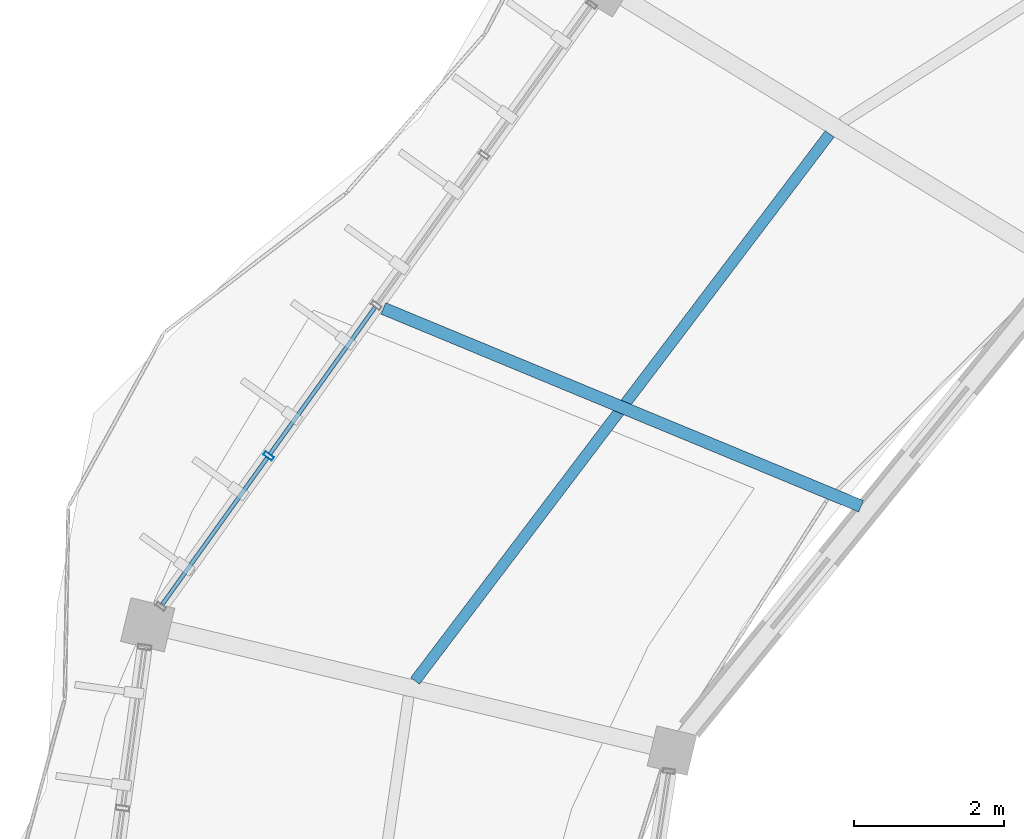
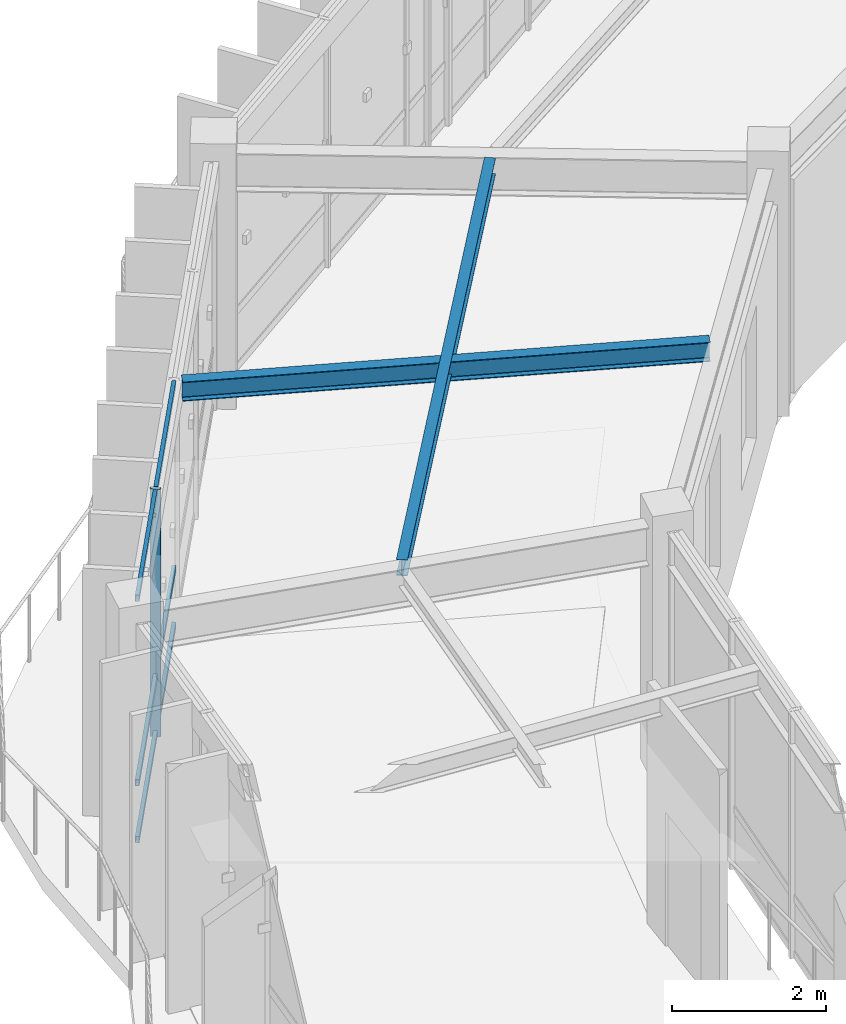
# One storey, part 19 of 83: 7 members, 2 beams, 1 element without a shape of its own.
"""IFC4 building model written with IfcOpenShell, lengths in metres."""

from ifc_helpers import new_model, si_unit, direction, frame, origin, origin_2d, place, context, subcontext, project, spatial, hollow_rectangle, i_section, extrude, material, material_profile, profile_set, type_object, element, aggregate, save


model = new_model("IFC4")

# Units and contexts
model_context = context("Model", 3, precision=1e-05, world=origin(), true_north=direction((0.0, 1.0)))
body_context = subcontext(model_context, "Body", "Model", "MODEL_VIEW")
ifc_project = project(units=[si_unit("LENGTHUNIT", "METRE"), si_unit("AREAUNIT", "SQUARE_METRE"), si_unit("VOLUMEUNIT", "CUBIC_METRE"), si_unit("PLANEANGLEUNIT", "RADIAN"), si_unit("MASSUNIT", "GRAM", prefix="KILO"), si_unit("THERMODYNAMICTEMPERATUREUNIT", "KELVIN"), si_unit("POWERUNIT", "WATT")], contexts=[model_context])

# Site, building, storey
site_placement = place(None, origin())
site = spatial("IfcSite", under=ifc_project, at=site_placement, CompositionType="ELEMENT")
building_placement = place(site_placement, origin())
building = spatial("IfcBuilding", under=site, at=building_placement, Name="Darbajah Civic Hall", CompositionType="ELEMENT")
storey_placement = place(building_placement, frame((0.0, 0.0, 18.0)))
storey = spatial("IfcBuildingStorey", under=building, at=storey_placement, Name="L04", CompositionType="ELEMENT", Elevation=18.0)

# Curtain wall, members
ifc_material_1 = material(Name="Anodised Bronze Aluminium and Low-E Glazing", Category="aluminium")
curtain_wall_type = type_object("IfcCurtainWallType", Name="Unitised Curtain Wall CW-68 9900x3900", PredefinedType="USERDEFINED", material=ifc_material_1)
curtain_wall_placement = place(storey_placement, origin())
curtain_wall = element("IfcCurtainWall", 1, at=curtain_wall_placement, inside=storey, type_object=curtain_wall_type, Name="L04 unitised curtain wall CW-V1O-L04-08", ObjectType="UNITISED CURTAIN WALL", PredefinedType="USERDEFINED")
ifc_material_2 = material(Name="Anodised Bronze Aluminium", Category="aluminium")
ifc_material_profile_1 = material_profile(ifc_material_2, hollow_rectangle(XDim=0.054931640625, YDim=0.139892578125, WallThickness=0.003173828125, at=origin_2d()), Name="ALU MULLION 55x140")
ifc_profile_set_1 = profile_set([ifc_material_profile_1], Name="Anodised Bronze Aluminium")
member_type_1 = type_object("IfcMemberType", Name="ALU MULLION 55x140", PredefinedType="MULLION", material=ifc_profile_set_1)
member_1_placement = place(storey_placement, frame((41.12353515625, 98.941162109375, 0.0), z_axis=(0.0, 0.0, 1.0), x_axis=(-0.582264874145, -0.812999149039, 0.0)))
member_1 = element("IfcMember", 2, at=member_1_placement, type_object=member_type_1, Name="CW-V1O-L04-08 mullion 4", PredefinedType="MULLION", context=body_context, shape_type="SweptSolid", body=[
    extrude(hollow_rectangle(XDim=0.054931640625, YDim=0.139892578125, WallThickness=0.003173828125, at=origin_2d()), origin(), (0.0, 0.0, 1.0), 3.919921875),
])
ifc_material_profile_2 = material_profile(ifc_material_2, hollow_rectangle(XDim=0.054931640625, YDim=0.10009765625, WallThickness=0.0029296875, at=origin_2d()), Name="ALU TRANSOM 55x100")
ifc_profile_set_2 = profile_set([ifc_material_profile_2], Name="Anodised Bronze Aluminium")
member_type_2 = type_object("IfcMemberType", Name="ALU TRANSOM 55x100", PredefinedType="USERDEFINED", material=ifc_profile_set_2)
member_2_placement = place(storey_placement, frame((42.543212890625, 100.923583984375, 0.050048828125), z_axis=(-0.582188139541, -0.813054100401, 0.0), x_axis=(0.813054100401, -0.582188139541, 0.0)))
member_2 = element("IfcMember", 3, at=member_2_placement, type_object=member_type_2, Name="CW-V1O-L04-08 transom 3.1", ObjectType="TRANSOM", PredefinedType="USERDEFINED", context=body_context, shape_type="SweptSolid", body=[
    extrude(hollow_rectangle(XDim=0.054931640625, YDim=0.10009765625, WallThickness=0.0029296875, at=origin_2d()), origin(), (0.0, 0.0, 1.0), 2.40576171875),
])
member_3_placement = place(storey_placement, frame((42.543212890625, 100.923583984375, 0.949951171875), z_axis=(-0.582188139541, -0.813054100401, 0.0), x_axis=(0.813054100401, -0.582188139541, 0.0)))
member_3 = element("IfcMember", 4, at=member_3_placement, type_object=member_type_2, Name="CW-V1O-L04-08 transom 3.2", ObjectType="TRANSOM", PredefinedType="USERDEFINED", context=body_context, shape_type="SweptSolid", body=[
    extrude(hollow_rectangle(XDim=0.054931640625, YDim=0.10009765625, WallThickness=0.0029296875, at=origin_2d()), origin(), (0.0, 0.0, 1.0), 2.40576171875),
])
member_4_placement = place(storey_placement, frame((42.543212890625, 100.923583984375, 3.8701171875), z_axis=(-0.582188139541, -0.813054100401, 0.0), x_axis=(0.813054100401, -0.582188139541, 0.0)))
member_4 = element("IfcMember", 5, at=member_4_placement, type_object=member_type_2, Name="CW-V1O-L04-08 transom 3.3", ObjectType="TRANSOM", PredefinedType="USERDEFINED", context=body_context, shape_type="SweptSolid", body=[
    extrude(hollow_rectangle(XDim=0.054931640625, YDim=0.10009765625, WallThickness=0.0029296875, at=origin_2d()), origin(), (0.0, 0.0, 1.0), 2.40576171875),
])
member_5_placement = place(storey_placement, frame((41.104736328125, 98.914794921875, 0.050048828125), z_axis=(-0.582207185056, -0.813040462505, 0.0), x_axis=(0.813040462505, -0.582207185056, 0.0)))
member_5 = element("IfcMember", 6, at=member_5_placement, type_object=member_type_2, Name="CW-V1O-L04-08 transom 4.1", ObjectType="TRANSOM", PredefinedType="USERDEFINED", context=body_context, shape_type="SweptSolid", body=[
    extrude(hollow_rectangle(XDim=0.054931640625, YDim=0.10009765625, WallThickness=0.0029296875, at=origin_2d()), origin(), (0.0, 0.0, 1.0), 2.40625),
])
member_6_placement = place(storey_placement, frame((41.104736328125, 98.914794921875, 0.949951171875), z_axis=(-0.582207185056, -0.813040462505, 0.0), x_axis=(0.813040462505, -0.582207185056, 0.0)))
member_6 = element("IfcMember", 7, at=member_6_placement, type_object=member_type_2, Name="CW-V1O-L04-08 transom 4.2", ObjectType="TRANSOM", PredefinedType="USERDEFINED", context=body_context, shape_type="SweptSolid", body=[
    extrude(hollow_rectangle(XDim=0.054931640625, YDim=0.10009765625, WallThickness=0.0029296875, at=origin_2d()), origin(), (0.0, 0.0, 1.0), 2.40625),
])
member_7_placement = place(storey_placement, frame((41.104736328125, 98.914794921875, 3.8701171875), z_axis=(-0.582207185056, -0.813040462505, 0.0), x_axis=(0.813040462505, -0.582207185056, 0.0)))
member_7 = element("IfcMember", 8, at=member_7_placement, type_object=member_type_2, Name="CW-V1O-L04-08 transom 4.3", ObjectType="TRANSOM", PredefinedType="USERDEFINED", context=body_context, shape_type="SweptSolid", body=[
    extrude(hollow_rectangle(XDim=0.054931640625, YDim=0.10009765625, WallThickness=0.0029296875, at=origin_2d()), origin(), (0.0, 0.0, 1.0), 2.40625),
])
aggregate(curtain_wall, [member_1, member_2, member_3, member_4, member_5, member_6, member_7])

# Beams
ifc_material_3 = material(Name="Steel S355JR", Category="steel")
ifc_material_profile_3 = material_profile(ifc_material_3, i_section(OverallWidth=0.146484375, OverallDepth=0.256103515625, WebThickness=0.00634765625, FlangeThickness=0.010986328125, FilletRadius=0.007568359375, at=origin_2d()), Name="UB 254x146x37")
ifc_profile_set_3 = profile_set([ifc_material_profile_3], Name="Steel S355JR")
beam_type_1 = type_object("IfcBeamType", Name="UB 254x146x37", PredefinedType="JOIST", material=ifc_profile_set_3)
beam_1_placement = place(storey_placement, frame((48.61474609375, 103.240234375, 3.7919921875), z_axis=(-0.604114678665, -0.796897393032, 0.0), x_axis=(0.796897393032, -0.604114678665, 0.0)))
element("IfcBeam", 9, at=beam_1_placement, inside=storey, type_object=beam_type_1, Name="L04 beam SJ-254", PredefinedType="JOIST", context=body_context, shape_type="SweptSolid", body=[
    extrude(i_section(OverallWidth=0.146484375, OverallDepth=0.256103515625, WebThickness=0.00634765625, FlangeThickness=0.010986328125, FilletRadius=0.007568359375, at=origin_2d()), origin(), (0.0, 0.0, 1.0), 9.162353515625),
])
ifc_material_profile_4 = material_profile(ifc_material_3, i_section(OverallWidth=0.165771484375, OverallDepth=0.306640625, WebThickness=0.006591796875, FlangeThickness=0.01171875, FilletRadius=0.0087890625, at=origin_2d()), Name="UB 305x165x46")
ifc_profile_set_4 = profile_set([ifc_material_profile_4], Name="Steel S355JR")
beam_type_2 = type_object("IfcBeamType", Name="UB 305x165x46", PredefinedType="JOIST", material=ifc_profile_set_4)
beam_2_placement = place(storey_placement, frame((49.034423828125, 98.269287109375, 3.7666015625), z_axis=(-0.923878471007, 0.382685995053, 0.0), x_axis=(-0.382685995053, -0.923878471007, 0.0)))
element("IfcBeam", 10, at=beam_2_placement, inside=storey, type_object=beam_type_2, Name="L04 beam SJ-305", PredefinedType="JOIST", context=body_context, shape_type="SweptSolid", body=[
    extrude(i_section(OverallWidth=0.165771484375, OverallDepth=0.306640625, WebThickness=0.006591796875, FlangeThickness=0.01171875, FilletRadius=0.0087890625, at=origin_2d()), origin(), (0.0, 0.0, 1.0), 6.9033203125),
])

save(model, "model.ifc")
